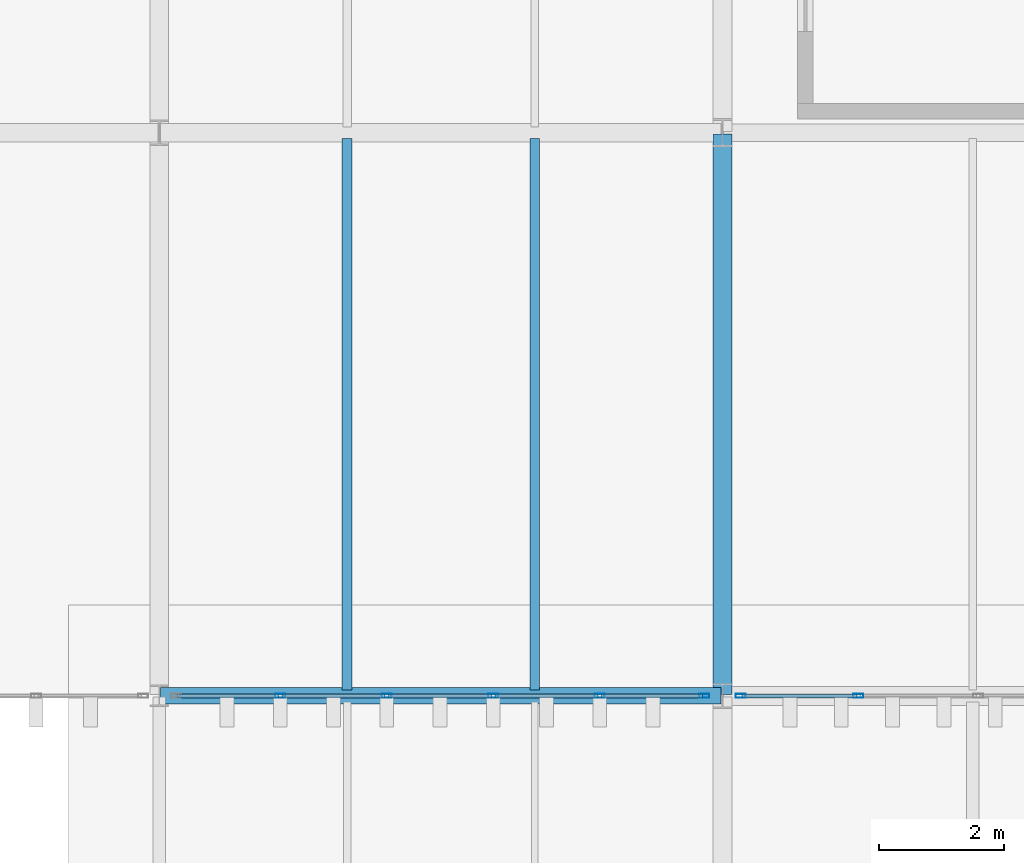
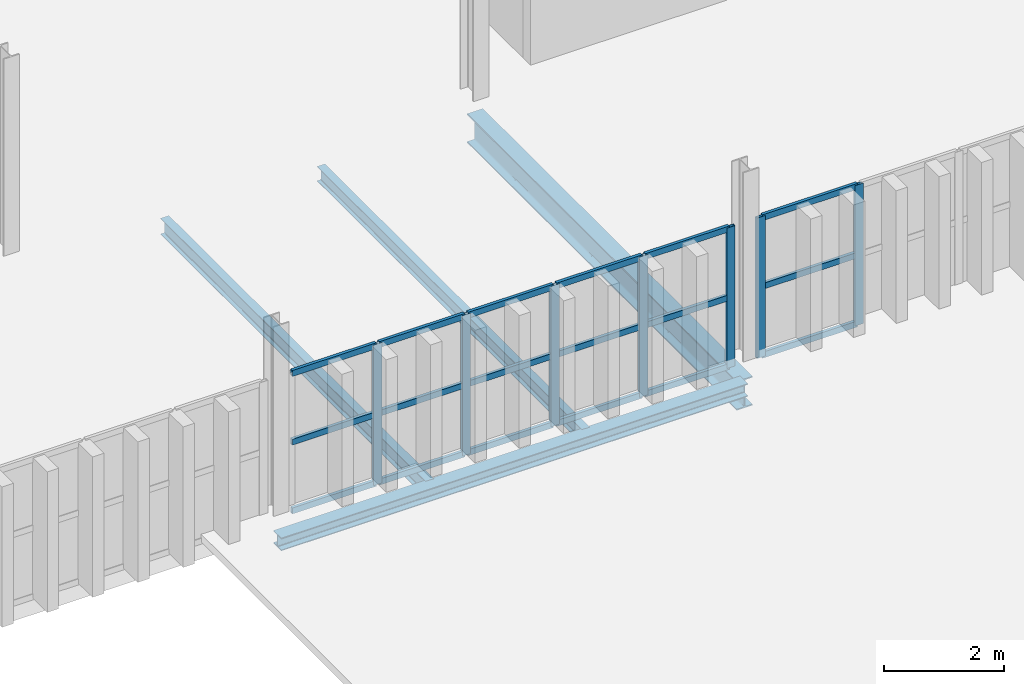
# One storey, part 29 of 102: 25 members, 4 beams, 2 elements without a shape of their own.
"""IFC4 building model written with IfcOpenShell, lengths in metres."""

from ifc_helpers import new_model, si_unit, direction, frame, origin, origin_2d, place, context, subcontext, project, spatial, hollow_rectangle, i_section, extrude, material, layer, layer_set, material_profile, profile_set, type_object, element, aggregate, save


model = new_model("IFC4")

# Units and contexts
model_context = context("Model", 3, precision=1e-05, world=origin(), true_north=direction((0.0, 1.0)))
body_context = subcontext(model_context, "Body", "Model", "MODEL_VIEW")
ifc_project = project(units=[si_unit("LENGTHUNIT", "METRE"), si_unit("AREAUNIT", "SQUARE_METRE"), si_unit("VOLUMEUNIT", "CUBIC_METRE"), si_unit("PLANEANGLEUNIT", "RADIAN"), si_unit("MASSUNIT", "GRAM", prefix="KILO")], contexts=[model_context])

# Site, building, storey
site_placement = place(None, origin())
site = spatial("IfcSite", under=ifc_project, at=site_placement, CompositionType="ELEMENT")
building_placement = place(site_placement, origin())
building = spatial("IfcBuilding", under=site, at=building_placement, Name="Barlavento Convention Centre", CompositionType="ELEMENT")
storey_placement = place(building_placement, frame((0.0, 0.0, 22.800048828125)))
storey = spatial("IfcBuildingStorey", under=building, at=storey_placement, Name="L04", CompositionType="ELEMENT", Elevation=22.800048828125)

# Curtain wall, members
ifc_material_1 = material(Name="Powder-coated aluminium and Low-E glass", Category="aluminium")
ifc_layer = layer(ifc_material_1, 0.18505859375)
ifc_layer_set = layer_set([ifc_layer], Name="ARC-CW-CONF-L04")
curtain_wall_type = type_object("IfcCurtainWallType", Name="ARC-CW-CONF-L04", PredefinedType="NOTDEFINED", material=ifc_layer_set)
curtain_wall_1_placement = place(storey_placement, origin())
curtain_wall_1 = element("IfcCurtainWall", 1, at=curtain_wall_1_placement, inside=storey, type_object=curtain_wall_type, Name="L04 unitised curtain wall CW09", PredefinedType="NOTDEFINED")
ifc_material_2 = material(Name="Powder-coated aluminium", Category="aluminium")
ifc_material_profile_1 = material_profile(ifc_material_2, hollow_rectangle(XDim=0.06005859375, YDim=0.159912109375, WallThickness=0.00390625, at=origin_2d()), Name="AL-MULL 60x160x4")
ifc_profile_set_1 = profile_set([ifc_material_profile_1], Name="Powder-coated aluminium")
member_type_1 = type_object("IfcMemberType", Name="ARC-CWM-60X160", PredefinedType="MULLION", material=ifc_profile_set_1)
member_1_placement = place(storey_placement, frame((172.931884765625, 27.0, 0.0), z_axis=(0.0, 0.0, 1.0), x_axis=(0.0, 1.0, 0.0)))
member_1 = element("IfcMember", 2, at=member_1_placement, type_object=member_type_1, Name="CW09 mullion 2", PredefinedType="MULLION", context=body_context, shape_type="SweptSolid", body=[
    extrude(hollow_rectangle(XDim=0.06005859375, YDim=0.159912109375, WallThickness=0.00390625, at=origin_2d()), origin(), (0.0, 0.0, 1.0), 2.849853515625),
])
member_2_placement = place(storey_placement, frame((174.634033203125, 27.0, 0.0), z_axis=(0.0, 0.0, 1.0), x_axis=(0.0, 1.0, 0.0)))
member_2 = element("IfcMember", 3, at=member_2_placement, type_object=member_type_1, Name="CW09 mullion 3", PredefinedType="MULLION", context=body_context, shape_type="SweptSolid", body=[
    extrude(hollow_rectangle(XDim=0.06005859375, YDim=0.159912109375, WallThickness=0.00390625, at=origin_2d()), origin(), (0.0, 0.0, 1.0), 2.849853515625),
])
member_3_placement = place(storey_placement, frame((176.3359375, 27.0, 0.0), z_axis=(0.0, 0.0, 1.0), x_axis=(0.0, 1.0, 0.0)))
member_3 = element("IfcMember", 4, at=member_3_placement, type_object=member_type_1, Name="CW09 mullion 4", PredefinedType="MULLION", context=body_context, shape_type="SweptSolid", body=[
    extrude(hollow_rectangle(XDim=0.06005859375, YDim=0.159912109375, WallThickness=0.00390625, at=origin_2d()), origin(), (0.0, 0.0, 1.0), 2.849853515625),
])
member_4_placement = place(storey_placement, frame((178.0380859375, 27.0, 0.0), z_axis=(0.0, 0.0, 1.0), x_axis=(0.0, 1.0, 0.0)))
member_4 = element("IfcMember", 5, at=member_4_placement, type_object=member_type_1, Name="CW09 mullion 5", PredefinedType="MULLION", context=body_context, shape_type="SweptSolid", body=[
    extrude(hollow_rectangle(XDim=0.06005859375, YDim=0.159912109375, WallThickness=0.00390625, at=origin_2d()), origin(), (0.0, 0.0, 1.0), 2.849853515625),
])
member_5_placement = place(storey_placement, frame((179.7099609375, 27.0, 0.0), z_axis=(0.0, 0.0, 1.0), x_axis=(0.0, 1.0, 0.0)))
member_5 = element("IfcMember", 6, at=member_5_placement, type_object=member_type_1, Name="CW09 mullion 6", PredefinedType="MULLION", context=body_context, shape_type="SweptSolid", body=[
    extrude(hollow_rectangle(XDim=0.06005859375, YDim=0.159912109375, WallThickness=0.00390625, at=origin_2d()), origin(), (0.0, 0.0, 1.0), 2.849853515625),
])

curtain_wall_2_placement = place(storey_placement, origin())
curtain_wall_2 = element("IfcCurtainWall", 7, at=curtain_wall_2_placement, inside=storey, type_object=curtain_wall_type, Name="L04 unitised curtain wall CW09", PredefinedType="NOTDEFINED")
member_6_placement = place(storey_placement, frame((180.2900390625, 27.0, 0.0), z_axis=(0.0, 0.0, 1.0), x_axis=(0.0, 1.0, 0.0)))
member_6 = element("IfcMember", 8, at=member_6_placement, type_object=member_type_1, Name="CW09 mullion 1", PredefinedType="MULLION", context=body_context, shape_type="SweptSolid", body=[
    extrude(hollow_rectangle(XDim=0.06005859375, YDim=0.159912109375, WallThickness=0.00390625, at=origin_2d()), origin(), (0.0, 0.0, 1.0), 2.849853515625),
])
member_7_placement = place(storey_placement, frame((182.17333984375, 27.0, 0.0), z_axis=(0.0, 0.0, 1.0), x_axis=(0.0, 1.0, 0.0)))
member_7 = element("IfcMember", 9, at=member_7_placement, type_object=member_type_1, Name="CW09 mullion 2", PredefinedType="MULLION", context=body_context, shape_type="SweptSolid", body=[
    extrude(hollow_rectangle(XDim=0.06005859375, YDim=0.159912109375, WallThickness=0.00390625, at=origin_2d()), origin(), (0.0, 0.0, 1.0), 2.849853515625),
])

# Member
ifc_material_profile_2 = material_profile(ifc_material_2, hollow_rectangle(XDim=0.06005859375, YDim=0.1201171875, WallThickness=0.00390625, at=origin_2d()), Name="AL-TRAN 60x120x4")
ifc_profile_set_2 = profile_set([ifc_material_profile_2], Name="Powder-coated aluminium")
member_type_2 = type_object("IfcMemberType", Name="ARC-CWT-60X120", PredefinedType="USERDEFINED", material=ifc_profile_set_2)
member_8_placement = place(storey_placement, frame((171.2900390625, 27.0, 0.030029296875), z_axis=(1.0, 0.0, 0.0), x_axis=(0.0, 1.0, 0.0)))
member_8 = element("IfcMember", 10, at=member_8_placement, type_object=member_type_2, Name="CW09 transom 1.1", ObjectType="TRANSOM", PredefinedType="USERDEFINED", context=body_context, shape_type="SweptSolid", body=[
    extrude(hollow_rectangle(XDim=0.06005859375, YDim=0.1201171875, WallThickness=0.00390625, at=origin_2d()), origin(), (0.0, 0.0, 1.0), 1.612060546875),
])

member_9_placement = place(storey_placement, frame((171.2900390625, 27.0, 1.425048828125), z_axis=(1.0, 0.0, 0.0), x_axis=(0.0, 1.0, 0.0)))
member_9 = element("IfcMember", 11, at=member_9_placement, type_object=member_type_2, Name="CW09 transom 1.2", ObjectType="TRANSOM", PredefinedType="USERDEFINED", context=body_context, shape_type="SweptSolid", body=[
    extrude(hollow_rectangle(XDim=0.06005859375, YDim=0.1201171875, WallThickness=0.00390625, at=origin_2d()), origin(), (0.0, 0.0, 1.0), 1.612060546875),
])

member_10_placement = place(storey_placement, frame((171.2900390625, 27.0, 2.820068359375), z_axis=(1.0, 0.0, 0.0), x_axis=(0.0, 1.0, 0.0)))
member_10 = element("IfcMember", 12, at=member_10_placement, type_object=member_type_2, Name="CW09 transom 1.3", ObjectType="TRANSOM", PredefinedType="USERDEFINED", context=body_context, shape_type="SweptSolid", body=[
    extrude(hollow_rectangle(XDim=0.06005859375, YDim=0.1201171875, WallThickness=0.00390625, at=origin_2d()), origin(), (0.0, 0.0, 1.0), 1.612060546875),
])

member_11_placement = place(storey_placement, frame((172.9619140625, 27.0, 0.030029296875), z_axis=(1.0, 0.0, 0.0), x_axis=(0.0, 1.0, 0.0)))
member_11 = element("IfcMember", 13, at=member_11_placement, type_object=member_type_2, Name="CW09 transom 2.1", ObjectType="TRANSOM", PredefinedType="USERDEFINED", context=body_context, shape_type="SweptSolid", body=[
    extrude(hollow_rectangle(XDim=0.06005859375, YDim=0.1201171875, WallThickness=0.00390625, at=origin_2d()), origin(), (0.0, 0.0, 1.0), 1.64208984375),
])

member_12_placement = place(storey_placement, frame((172.9619140625, 27.0, 1.425048828125), z_axis=(1.0, 0.0, 0.0), x_axis=(0.0, 1.0, 0.0)))
member_12 = element("IfcMember", 14, at=member_12_placement, type_object=member_type_2, Name="CW09 transom 2.2", ObjectType="TRANSOM", PredefinedType="USERDEFINED", context=body_context, shape_type="SweptSolid", body=[
    extrude(hollow_rectangle(XDim=0.06005859375, YDim=0.1201171875, WallThickness=0.00390625, at=origin_2d()), origin(), (0.0, 0.0, 1.0), 1.64208984375),
])

member_13_placement = place(storey_placement, frame((172.9619140625, 27.0, 2.820068359375), z_axis=(1.0, 0.0, 0.0), x_axis=(0.0, 1.0, 0.0)))
member_13 = element("IfcMember", 15, at=member_13_placement, type_object=member_type_2, Name="CW09 transom 2.3", ObjectType="TRANSOM", PredefinedType="USERDEFINED", context=body_context, shape_type="SweptSolid", body=[
    extrude(hollow_rectangle(XDim=0.06005859375, YDim=0.1201171875, WallThickness=0.00390625, at=origin_2d()), origin(), (0.0, 0.0, 1.0), 1.64208984375),
])

member_14_placement = place(storey_placement, frame((174.6640625, 27.0, 0.030029296875), z_axis=(1.0, 0.0, 0.0), x_axis=(0.0, 1.0, 0.0)))
member_14 = element("IfcMember", 16, at=member_14_placement, type_object=member_type_2, Name="CW09 transom 3.1", ObjectType="TRANSOM", PredefinedType="USERDEFINED", context=body_context, shape_type="SweptSolid", body=[
    extrude(hollow_rectangle(XDim=0.06005859375, YDim=0.1201171875, WallThickness=0.00390625, at=origin_2d()), origin(), (0.0, 0.0, 1.0), 1.641845703125),
])

member_15_placement = place(storey_placement, frame((174.6640625, 27.0, 1.425048828125), z_axis=(1.0, 0.0, 0.0), x_axis=(0.0, 1.0, 0.0)))
member_15 = element("IfcMember", 17, at=member_15_placement, type_object=member_type_2, Name="CW09 transom 3.2", ObjectType="TRANSOM", PredefinedType="USERDEFINED", context=body_context, shape_type="SweptSolid", body=[
    extrude(hollow_rectangle(XDim=0.06005859375, YDim=0.1201171875, WallThickness=0.00390625, at=origin_2d()), origin(), (0.0, 0.0, 1.0), 1.641845703125),
])

member_16_placement = place(storey_placement, frame((174.6640625, 27.0, 2.820068359375), z_axis=(1.0, 0.0, 0.0), x_axis=(0.0, 1.0, 0.0)))
member_16 = element("IfcMember", 18, at=member_16_placement, type_object=member_type_2, Name="CW09 transom 3.3", ObjectType="TRANSOM", PredefinedType="USERDEFINED", context=body_context, shape_type="SweptSolid", body=[
    extrude(hollow_rectangle(XDim=0.06005859375, YDim=0.1201171875, WallThickness=0.00390625, at=origin_2d()), origin(), (0.0, 0.0, 1.0), 1.641845703125),
])

member_17_placement = place(storey_placement, frame((176.365966796875, 27.0, 0.030029296875), z_axis=(1.0, 0.0, 0.0), x_axis=(0.0, 1.0, 0.0)))
member_17 = element("IfcMember", 19, at=member_17_placement, type_object=member_type_2, Name="CW09 transom 4.1", ObjectType="TRANSOM", PredefinedType="USERDEFINED", context=body_context, shape_type="SweptSolid", body=[
    extrude(hollow_rectangle(XDim=0.06005859375, YDim=0.1201171875, WallThickness=0.00390625, at=origin_2d()), origin(), (0.0, 0.0, 1.0), 1.64208984375),
])

member_18_placement = place(storey_placement, frame((176.365966796875, 27.0, 1.425048828125), z_axis=(1.0, 0.0, 0.0), x_axis=(0.0, 1.0, 0.0)))
member_18 = element("IfcMember", 20, at=member_18_placement, type_object=member_type_2, Name="CW09 transom 4.2", ObjectType="TRANSOM", PredefinedType="USERDEFINED", context=body_context, shape_type="SweptSolid", body=[
    extrude(hollow_rectangle(XDim=0.06005859375, YDim=0.1201171875, WallThickness=0.00390625, at=origin_2d()), origin(), (0.0, 0.0, 1.0), 1.64208984375),
])

member_19_placement = place(storey_placement, frame((176.365966796875, 27.0, 2.820068359375), z_axis=(1.0, 0.0, 0.0), x_axis=(0.0, 1.0, 0.0)))
member_19 = element("IfcMember", 21, at=member_19_placement, type_object=member_type_2, Name="CW09 transom 4.3", ObjectType="TRANSOM", PredefinedType="USERDEFINED", context=body_context, shape_type="SweptSolid", body=[
    extrude(hollow_rectangle(XDim=0.06005859375, YDim=0.1201171875, WallThickness=0.00390625, at=origin_2d()), origin(), (0.0, 0.0, 1.0), 1.64208984375),
])

member_20_placement = place(storey_placement, frame((178.068115234375, 27.0, 0.030029296875), z_axis=(1.0, 0.0, 0.0), x_axis=(0.0, 1.0, 0.0)))
member_20 = element("IfcMember", 22, at=member_20_placement, type_object=member_type_2, Name="CW09 transom 5.1", ObjectType="TRANSOM", PredefinedType="USERDEFINED", context=body_context, shape_type="SweptSolid", body=[
    extrude(hollow_rectangle(XDim=0.06005859375, YDim=0.1201171875, WallThickness=0.00390625, at=origin_2d()), origin(), (0.0, 0.0, 1.0), 1.61181640625),
])

member_21_placement = place(storey_placement, frame((178.068115234375, 27.0, 1.425048828125), z_axis=(1.0, 0.0, 0.0), x_axis=(0.0, 1.0, 0.0)))
member_21 = element("IfcMember", 23, at=member_21_placement, type_object=member_type_2, Name="CW09 transom 5.2", ObjectType="TRANSOM", PredefinedType="USERDEFINED", context=body_context, shape_type="SweptSolid", body=[
    extrude(hollow_rectangle(XDim=0.06005859375, YDim=0.1201171875, WallThickness=0.00390625, at=origin_2d()), origin(), (0.0, 0.0, 1.0), 1.61181640625),
])

member_22_placement = place(storey_placement, frame((178.068115234375, 27.0, 2.820068359375), z_axis=(1.0, 0.0, 0.0), x_axis=(0.0, 1.0, 0.0)))
member_22 = element("IfcMember", 24, at=member_22_placement, type_object=member_type_2, Name="CW09 transom 5.3", ObjectType="TRANSOM", PredefinedType="USERDEFINED", context=body_context, shape_type="SweptSolid", body=[
    extrude(hollow_rectangle(XDim=0.06005859375, YDim=0.1201171875, WallThickness=0.00390625, at=origin_2d()), origin(), (0.0, 0.0, 1.0), 1.61181640625),
])

aggregate(curtain_wall_1, [member_1, member_2, member_3, member_4, member_5, member_8, member_9, member_10, member_11, member_12, member_13, member_14, member_15, member_16, member_17, member_18, member_19, member_20, member_21, member_22])

member_23_placement = place(storey_placement, frame((180.320068359375, 27.0, 0.030029296875), z_axis=(1.0, 0.0, 0.0), x_axis=(0.0, 1.0, 0.0)))
member_23 = element("IfcMember", 25, at=member_23_placement, type_object=member_type_2, Name="CW09 transom 1.1", ObjectType="TRANSOM", PredefinedType="USERDEFINED", context=body_context, shape_type="SweptSolid", body=[
    extrude(hollow_rectangle(XDim=0.06005859375, YDim=0.1201171875, WallThickness=0.00390625, at=origin_2d()), origin(), (0.0, 0.0, 1.0), 1.8232421875),
])

member_24_placement = place(storey_placement, frame((180.320068359375, 27.0, 1.425048828125), z_axis=(1.0, 0.0, 0.0), x_axis=(0.0, 1.0, 0.0)))
member_24 = element("IfcMember", 26, at=member_24_placement, type_object=member_type_2, Name="CW09 transom 1.2", ObjectType="TRANSOM", PredefinedType="USERDEFINED", context=body_context, shape_type="SweptSolid", body=[
    extrude(hollow_rectangle(XDim=0.06005859375, YDim=0.1201171875, WallThickness=0.00390625, at=origin_2d()), origin(), (0.0, 0.0, 1.0), 1.8232421875),
])

member_25_placement = place(storey_placement, frame((180.320068359375, 27.0, 2.820068359375), z_axis=(1.0, 0.0, 0.0), x_axis=(0.0, 1.0, 0.0)))
member_25 = element("IfcMember", 27, at=member_25_placement, type_object=member_type_2, Name="CW09 transom 1.3", ObjectType="TRANSOM", PredefinedType="USERDEFINED", context=body_context, shape_type="SweptSolid", body=[
    extrude(hollow_rectangle(XDim=0.06005859375, YDim=0.1201171875, WallThickness=0.00390625, at=origin_2d()), origin(), (0.0, 0.0, 1.0), 1.8232421875),
])

aggregate(curtain_wall_2, [member_6, member_7, member_23, member_24, member_25])

# Beams
ifc_material_3 = material(Name="Steel S355", Category="steel")
ifc_material_profile_3 = material_profile(ifc_material_3, i_section(OverallWidth=0.14990234375, OverallDepth=0.300048828125, WebThickness=0.007080078125, FlangeThickness=0.0107421875, FilletRadius=0.014892578125, at=origin_2d()), Name="IPE 300")
ifc_profile_set_3 = profile_set([ifc_material_profile_3], Name="Steel S355")
beam_type_1 = type_object("IfcBeamType", Name="STR-BM-JST-IPE300", PredefinedType="JOIST", material=ifc_profile_set_3)
beam_1_placement = place(storey_placement, frame((177.0, 27.094970703125, -0.51513671875), z_axis=(0.0, 1.0, 0.0), x_axis=(-1.0, 0.0, 0.0)))
element("IfcBeam", 28, at=beam_1_placement, inside=storey, type_object=beam_type_1, Name="L04 composite floor joist SJ07", PredefinedType="JOIST", context=body_context, shape_type="SweptSolid", body=[
    extrude(i_section(OverallWidth=0.14990234375, OverallDepth=0.300048828125, WebThickness=0.007080078125, FlangeThickness=0.0107421875, FilletRadius=0.014892578125, at=origin_2d()), origin(), (0.0, 0.0, 1.0), 8.81005859375),
])
ifc_material_profile_4 = material_profile(ifc_material_3, i_section(OverallWidth=0.159912109375, OverallDepth=0.330078125, WebThickness=0.007568359375, FlangeThickness=0.011474609375, FilletRadius=0.01806640625, at=origin_2d()), Name="IPE 330")
ifc_profile_set_4 = profile_set([ifc_material_profile_4], Name="Steel S355")
beam_type_2 = type_object("IfcBeamType", Name="STR-BM-JST-IPE330", PredefinedType="JOIST", material=ifc_profile_set_4)
beam_2_placement = place(storey_placement, frame((174.0, 27.094970703125, -0.530029296875), z_axis=(0.0, 1.0, 0.0), x_axis=(-1.0, 0.0, 0.0)))
element("IfcBeam", 29, at=beam_2_placement, inside=storey, type_object=beam_type_2, Name="L04 composite floor joist SJ06", PredefinedType="JOIST", context=body_context, shape_type="SweptSolid", body=[
    extrude(i_section(OverallWidth=0.159912109375, OverallDepth=0.330078125, WebThickness=0.007568359375, FlangeThickness=0.011474609375, FilletRadius=0.01806640625, at=origin_2d()), origin(), (0.0, 0.0, 1.0), 8.81005859375),
])
ifc_material_profile_5 = material_profile(ifc_material_3, i_section(OverallWidth=0.300048828125, OverallDepth=0.590087890625, WebThickness=0.012939453125, FlangeThickness=0.02490234375, FilletRadius=0.027099609375, at=origin_2d()), Name="HEA 600")
ifc_profile_set_5 = profile_set([ifc_material_profile_5], Name="Steel S355")
beam_type_3 = type_object("IfcBeamType", Name="STR-BM-PRI-HEA600", PredefinedType="BEAM", material=ifc_profile_set_5)
beam_3_placement = place(storey_placement, frame((180.0, 27.02001953125, -0.66015625), z_axis=(0.0, 1.0, 0.0), x_axis=(-1.0, 0.0, 0.0)))
element("IfcBeam", 30, at=beam_3_placement, inside=storey, type_object=beam_type_3, Name="L04 grid girder BG18", PredefinedType="BEAM", context=body_context, shape_type="SweptSolid", body=[
    extrude(i_section(OverallWidth=0.300048828125, OverallDepth=0.590087890625, WebThickness=0.012939453125, FlangeThickness=0.02490234375, FilletRadius=0.027099609375, at=origin_2d()), origin(), (0.0, 0.0, 1.0), 8.9599609375),
])
ifc_material_profile_6 = material_profile(ifc_material_3, i_section(OverallWidth=0.260009765625, OverallDepth=0.260009765625, WebThickness=0.010009765625, FlangeThickness=0.017578125, FilletRadius=0.02392578125, at=origin_2d()), Name="HEB 260")
ifc_profile_set_6 = profile_set([ifc_material_profile_6], Name="Steel S355")
beam_type_4 = type_object("IfcBeamType", Name="STR-BM-PRI-HEB260", PredefinedType="BEAM", material=ifc_profile_set_6)
beam_4_placement = place(storey_placement, frame((171.02001953125, 27.0, -0.4951171875), z_axis=(1.0, 0.0, 0.0), x_axis=(0.0, 1.0, 0.0)))
element("IfcBeam", 31, at=beam_4_placement, inside=storey, type_object=beam_type_4, Name="L04 primary girder BG16", PredefinedType="BEAM", context=body_context, shape_type="SweptSolid", body=[
    extrude(i_section(OverallWidth=0.260009765625, OverallDepth=0.260009765625, WebThickness=0.010009765625, FlangeThickness=0.017578125, FilletRadius=0.02392578125, at=origin_2d()), origin(), (0.0, 0.0, 1.0), 8.9599609375),
])

save(model, "model.ifc")
